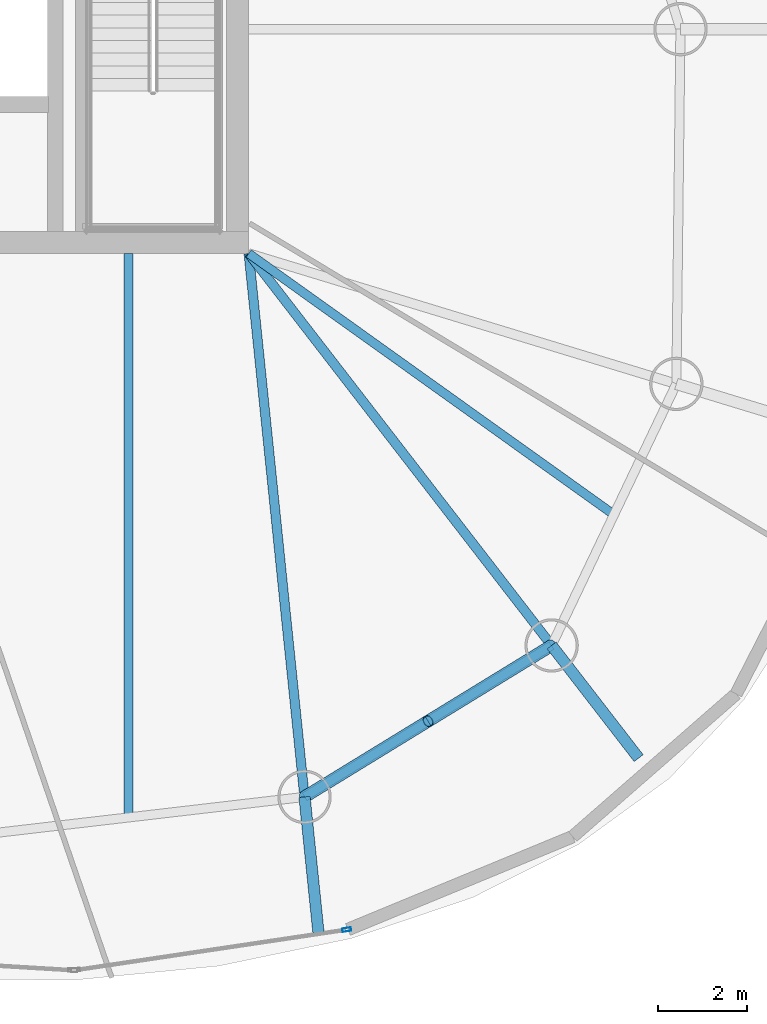
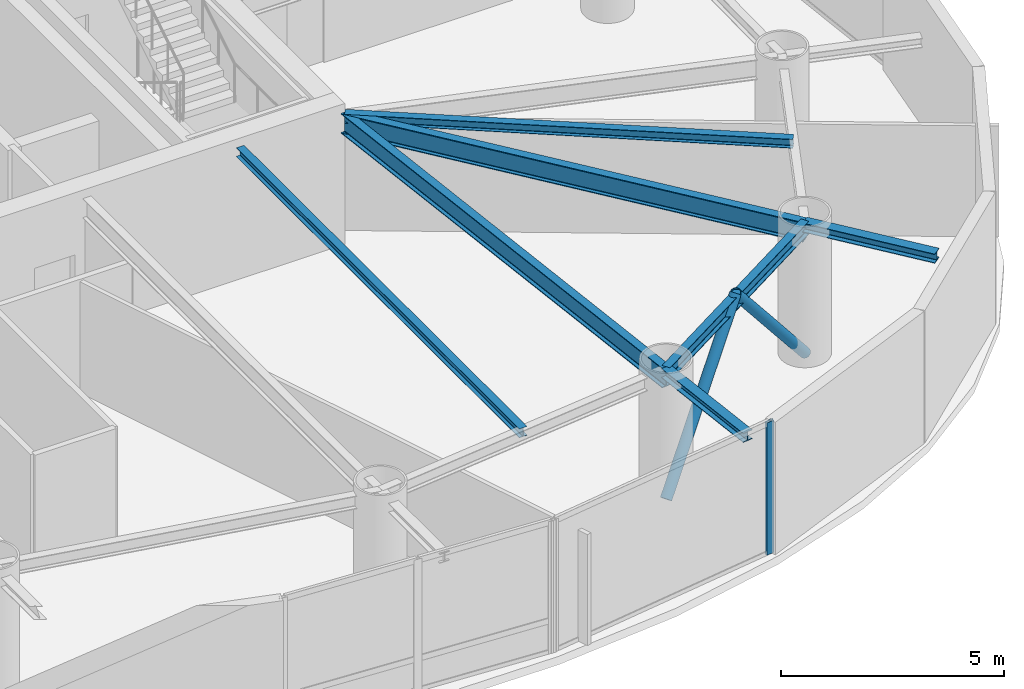
# One storey, part 6 of 18: 7 beams, 3 members, 1 element without a shape of its own.
"""IFC4 building model written with IfcOpenShell, lengths in metres."""

from ifc_helpers import new_model, si_unit, direction, frame, origin, origin_2d, place, context, subcontext, project, spatial, hollow_rectangle, hollow_circle, i_section, extrude, material, layer, layer_set, material_profile, profile_set, type_object, element, aggregate, save


model = new_model("IFC4")

# Units and contexts
model_context = context("Model", 3, precision=1e-05, world=origin(), true_north=direction((0.0, 1.0)))
body_context = subcontext(model_context, "Body", "Model", "MODEL_VIEW")
ifc_project = project(units=[si_unit("LENGTHUNIT", "METRE"), si_unit("AREAUNIT", "SQUARE_METRE"), si_unit("VOLUMEUNIT", "CUBIC_METRE"), si_unit("PLANEANGLEUNIT", "RADIAN"), si_unit("MASSUNIT", "GRAM", prefix="KILO")], contexts=[model_context])

# Site, building, storey
site_placement = place(None, origin())
site = spatial("IfcSite", under=ifc_project, at=site_placement, CompositionType="ELEMENT")
building_placement = place(site_placement, origin())
building = spatial("IfcBuilding", under=site, at=building_placement, Name="Bramvorn Convention Spire", CompositionType="ELEMENT")
storey_placement = place(building_placement, frame((0.0, 0.0, 182.75)))
storey = spatial("IfcBuildingStorey", under=building, at=storey_placement, Name="L46", CompositionType="ELEMENT", Elevation=182.75)

# Beams
ifc_material_1 = material(Name="Steel CSA G40.21 Grade 350 (350W)", Category="steel")
ifc_material_profile_1 = material_profile(ifc_material_1, i_section(OverallWidth=0.201904296875, OverallDepth=0.2470703125, WebThickness=0.00732421875, FlangeThickness=0.010986328125, FilletRadius=0.011962890625, at=origin_2d()))
ifc_profile_set_1 = profile_set([ifc_material_profile_1], Name="Steel CSA G40.21 Grade 350 (350W) - W250X49")
beam_type_1 = type_object("IfcBeamType", Name="BM-W250X49", PredefinedType="JOIST", material=ifc_profile_set_1)
beam_1_placement = place(storey_placement, frame((49.25, 18.550048828125, 3.49658203125), z_axis=(0.813471895271, -0.581604225916, 0.0), x_axis=(0.581604225916, 0.813471895271, 0.0)))
element("IfcBeam", 1, at=beam_1_placement, inside=storey, type_object=beam_type_1, Name="L46 composite floor joist 01", PredefinedType="JOIST", context=body_context, shape_type="SweptSolid", body=[
    extrude(i_section(OverallWidth=0.201904296875, OverallDepth=0.2470703125, WebThickness=0.00732421875, FlangeThickness=0.010986328125, FilletRadius=0.011962890625, at=origin_2d()), origin(), (0.0, 0.0, 1.0), 10.093505859375),
])
beam_2_placement = place(storey_placement, frame((46.544189453125, 18.550048828125, 3.49658203125), z_axis=(0.0, -1.0, 0.0), x_axis=(1.0, 0.0, 0.0)))
element("IfcBeam", 2, at=beam_2_placement, inside=storey, type_object=beam_type_1, Name="L46 composite floor joist 15", PredefinedType="JOIST", context=body_context, shape_type="SweptSolid", body=[
    extrude(i_section(OverallWidth=0.201904296875, OverallDepth=0.2470703125, WebThickness=0.00732421875, FlangeThickness=0.010986328125, FilletRadius=0.011962890625, at=origin_2d()), origin(), (0.0, 0.0, 1.0), 12.67626953125),
])
ifc_material_profile_2 = material_profile(ifc_material_1, i_section(OverallWidth=0.25390625, OverallDepth=0.2529296875, WebThickness=0.008544921875, FlangeThickness=0.01416015625, FilletRadius=0.011962890625, at=origin_2d()))
ifc_profile_set_2 = profile_set([ifc_material_profile_2], Name="Steel CSA G40.21 Grade 350 (350W) - W250X73")
beam_type_2 = type_object("IfcBeamType", Name="BM-W250X73", PredefinedType="BEAM", material=ifc_profile_set_2)
beam_3_placement = place(storey_placement, frame((56.058349609375, 9.739990234375, 3.493408203125), z_axis=(0.611497441422, -0.791246408607, 0.0), x_axis=(0.791246408607, 0.611497441422, 0.0)))
element("IfcBeam", 3, at=beam_3_placement, inside=storey, type_object=beam_type_2, Name="L46 slab-edge cantilever tip beam MC01", PredefinedType="BEAM", context=body_context, shape_type="SweptSolid", body=[
    extrude(i_section(OverallWidth=0.25390625, OverallDepth=0.2529296875, WebThickness=0.008544921875, FlangeThickness=0.01416015625, FilletRadius=0.011962890625, at=origin_2d()), origin(), (0.0, 0.0, 1.0), 3.199951171875),
])
beam_4_placement = place(storey_placement, frame((50.50439453125, 6.336181640625, 3.493408203125), z_axis=(0.10223727093, -0.994760041635, 0.0), x_axis=(0.994760041635, 0.10223727093, 0.0)))
element("IfcBeam", 4, at=beam_4_placement, inside=storey, type_object=beam_type_2, Name="L46 slab-edge cantilever tip beam MC16", PredefinedType="BEAM", context=body_context, shape_type="SweptSolid", body=[
    extrude(i_section(OverallWidth=0.25390625, OverallDepth=0.2529296875, WebThickness=0.008544921875, FlangeThickness=0.01416015625, FilletRadius=0.011962890625, at=origin_2d()), origin(), (0.0, 0.0, 1.0), 3.12109375),
])
ifc_material_profile_3 = material_profile(ifc_material_1, i_section(OverallWidth=0.205078125, OverallDepth=0.35400390625, WebThickness=0.009521484375, FlangeThickness=0.016845703125, FilletRadius=0.014892578125, at=origin_2d()))
ifc_profile_set_3 = profile_set([ifc_material_profile_3], Name="Steel CSA G40.21 Grade 350 (350W) - W360X79")
beam_type_3 = type_object("IfcBeamType", Name="BM-W360X79", PredefinedType="JOIST", material=ifc_profile_set_3)
beam_5_placement = place(storey_placement, frame((50.50439453125, 6.336181640625, 3.443115234375), z_axis=(0.852616873135, 0.522536570629, 0.0), x_axis=(-0.522536570629, 0.852616873135, 0.0)))
element("IfcBeam", 5, at=beam_5_placement, inside=storey, type_object=beam_type_3, Name="L46 mega-column ring beam 16", PredefinedType="JOIST", context=body_context, shape_type="SweptSolid", body=[
    extrude(i_section(OverallWidth=0.205078125, OverallDepth=0.35400390625, WebThickness=0.009521484375, FlangeThickness=0.016845703125, FilletRadius=0.014892578125, at=origin_2d()), origin(), (0.0, 0.0, 1.0), 6.513916015625),
])
ifc_material_profile_4 = material_profile(ifc_material_1, i_section(OverallWidth=0.2119140625, OverallDepth=0.5439453125, WebThickness=0.01318359375, FlangeThickness=0.021240234375, FilletRadius=0.01904296875, at=origin_2d()))
ifc_profile_set_4 = profile_set([ifc_material_profile_4], Name="Steel CSA G40.21 Grade 350 (350W) - W530X123")
beam_type_4 = type_object("IfcBeamType", Name="BM-W530X123", PredefinedType="BEAM", material=ifc_profile_set_4)
beam_6_placement = place(storey_placement, frame((49.25, 18.550048828125, 3.347900390625), z_axis=(0.611479951477, -0.791259925019, 0.0), x_axis=(0.791259925019, 0.611479951477, 0.0)))
element("IfcBeam", 6, at=beam_6_placement, inside=storey, type_object=beam_type_4, Name="L46 radial floor girder MC01", PredefinedType="BEAM", context=body_context, shape_type="SweptSolid", body=[
    extrude(i_section(OverallWidth=0.2119140625, OverallDepth=0.5439453125, WebThickness=0.01318359375, FlangeThickness=0.021240234375, FilletRadius=0.01904296875, at=origin_2d()), origin(), (0.0, 0.0, 1.0), 11.13427734375),
])
beam_7_placement = place(storey_placement, frame((49.25, 18.550048828125, 3.347900390625), z_axis=(0.10216509146, -0.994767457292, 0.0), x_axis=(0.994767457292, 0.10216509146, 0.0)))
element("IfcBeam", 7, at=beam_7_placement, inside=storey, type_object=beam_type_4, Name="L46 radial floor girder MC16", PredefinedType="BEAM", context=body_context, shape_type="SweptSolid", body=[
    extrude(i_section(OverallWidth=0.2119140625, OverallDepth=0.5439453125, WebThickness=0.01318359375, FlangeThickness=0.021240234375, FilletRadius=0.01904296875, at=origin_2d()), origin(), (0.0, 0.0, 1.0), 12.278076171875),
])

# Curtain wall, member
ifc_material_2 = material(Name="Anodised Bronze Unitised Curtain Wall", Category="aluminium")
ifc_layer = layer(ifc_material_2, 0.179931640625)
ifc_layer_set = layer_set([ifc_layer], Name="Anodised Bronze Unitised Curtain Wall - CW-OFF-FRIT")
curtain_wall_type = type_object("IfcCurtainWallType", Name="CW-OFF-FRIT", PredefinedType="USERDEFINED", material=ifc_layer_set)
curtain_wall_placement = place(storey_placement, origin())
curtain_wall = element("IfcCurtainWall", 8, at=curtain_wall_placement, inside=storey, type_object=curtain_wall_type, Name="L46 fritted glass curtain wall 22", ObjectType="UNITISED CURTAIN WALL", PredefinedType="USERDEFINED")
ifc_material_3 = material(Name="Anodised Bronze Aluminium 6063-T6", Category="aluminium")
ifc_material_profile_5 = material_profile(ifc_material_3, hollow_rectangle(XDim=0.080078125, YDim=0.199951171875, WallThickness=0.00390625, InnerFilletRadius=0.0009765625, OuterFilletRadius=0.00390625, at=origin_2d()))
ifc_profile_set_5 = profile_set([ifc_material_profile_5], Name="Anodised Bronze Aluminium 6063-T6 - CWM80X200")
member_type_1 = type_object("IfcMemberType", Name="CW-MUL-180", PredefinedType="MULLION", material=ifc_profile_set_5)
member_placement = place(storey_placement, frame((51.453125, 3.35205078125, 0.0), z_axis=(0.0, 0.0, 1.0), x_axis=(0.147438002841, -0.989071299411, 0.0)))
member = element("IfcMember", 9, at=member_placement, type_object=member_type_1, Name="CW3 mullion 1", PredefinedType="MULLION", context=body_context, shape_type="SweptSolid", body=[
    extrude(hollow_rectangle(XDim=0.080078125, YDim=0.199951171875, WallThickness=0.00390625, InnerFilletRadius=0.0009765625, OuterFilletRadius=0.00390625, at=origin_2d()), origin(), (0.0, 0.0, 1.0), 3.6201171875),
])
aggregate(curtain_wall, [member])

# Members
ifc_material_profile_6 = material_profile(ifc_material_1, hollow_circle(Radius=0.136474609375, WallThickness=0.0126953125, at=origin_2d()))
ifc_profile_set_6 = profile_set([ifc_material_profile_6], Name="Steel CSA G40.21 Grade 350 (350W) - CHS273X13")
member_type_2 = type_object("IfcMemberType", Name="MBR-CHS273X13", PredefinedType="BRACE", material=ifc_profile_set_6)
for number, where, z_axis, x_axis, name in (
    (10, (50.50439453125, 6.336181640625, 0.0), (0.570281085842, 0.349488303244, 0.743395862933), (-0.522519873149, 0.852627106163, 0.0), "L46 perimeter Gothic lancet brace 16A"),
    (11, (56.058349609375, 9.739990234375, 0.0), (-0.570247254591, -0.349498295389, 0.743417117204), (0.522553268977, -0.852606639126, 0.0), "L46 perimeter Gothic lancet brace 16B"),
):
    element("IfcMember", number, at=place(storey_placement, frame(where, z_axis=z_axis, x_axis=x_axis)), inside=storey, type_object=member_type_2, Name=name, PredefinedType="BRACE", context=body_context, shape_type="SweptSolid", body=[
        extrude(hollow_circle(Radius=0.136474609375, WallThickness=0.0126953125, at=origin_2d()), origin(), (0.0, 0.0, 1.0), 4.86962890625),
    ])

save(model, "model.ifc")
